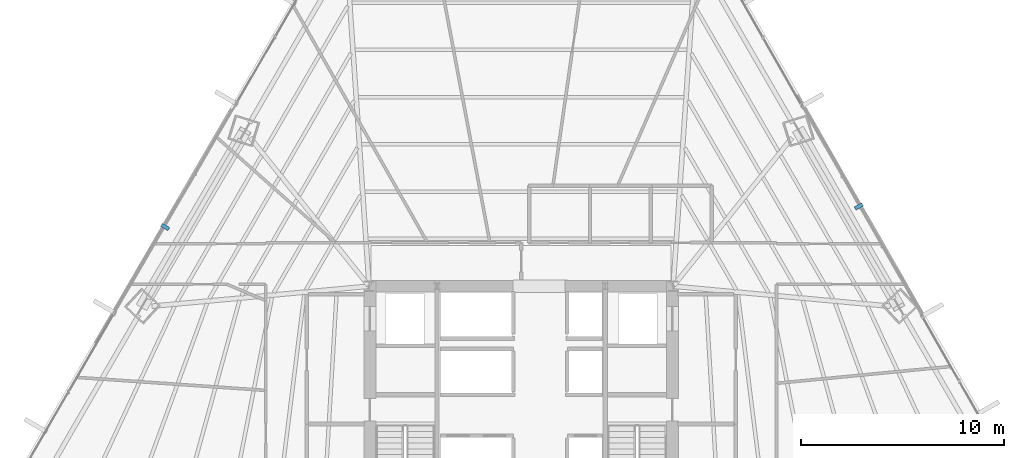
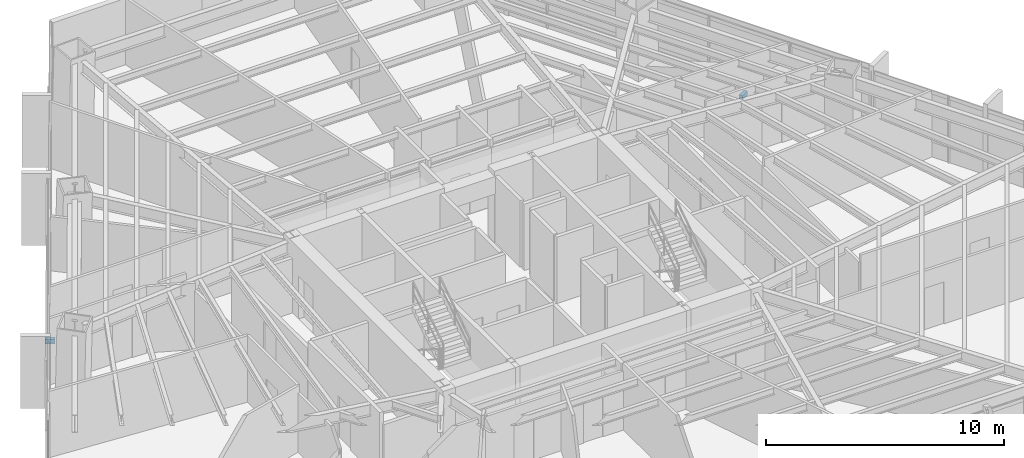
# One storey, part 32 of 35: 2 discrete accessories.
"""IFC4 building model written with IfcOpenShell, lengths in metres."""

import ifcopenshell
import ifcopenshell.guid

model = None  # the IFC model being written
_history = None  # IfcOwnerHistory: only IFC2X3 demands one
_inside = {}  # id of a spatial element -> (the spatial element, [elements in it])
_under = {}  # id of a project, library or spatial element -> (it, [spatial elements below it])
_declared = {}  # id of a project -> (the project, [libraries it declares])
_typed = {}  # id of a type object -> (the type object, [elements of that type])
_made_of = {}  # id of a material, layer set ... -> (it, [elements and type objects made of it])


def new_model(schema):
    """Start an empty IFC model of exactly this schema.

    Asked for "IFC4X3", IfcOpenShell would pick the latest addendum, in which some entities
    have other attributes; the version numbers below select the first issue.
    IFC2X3 requires an IfcOwnerHistory on every rooted entity: one is made here for all.
    """
    global model, _history
    if schema == "IFC4X3":
        model = ifcopenshell.file(schema_version=(4, 3, 0, 0))
    else:
        model = ifcopenshell.file(schema=schema)
    _inside.clear()
    _under.clear()
    _declared.clear()
    _typed.clear()
    _made_of.clear()
    _history = None
    if model.schema == "IFC2X3":
        org = make("IfcOrganization", Name="unknown")
        user = make(
            "IfcPersonAndOrganization",
            ThePerson=make("IfcPerson", FamilyName="unknown"),
            TheOrganization=org,
        )
        app = make(
            "IfcApplication",
            ApplicationDeveloper=org,
            Version="unknown",
            ApplicationFullName="unknown",
            ApplicationIdentifier="unknown",
        )
        _history = make(
            "IfcOwnerHistory",
            OwningUser=user,
            OwningApplication=app,
            ChangeAction="ADDED",
            CreationDate=0,
        )
    return model


def make(cls, **values):
    """One entity of the class cls with the attributes given. An attribute that is None is left unset."""
    return model.create_entity(
        cls, **{name: value for name, value in values.items() if value is not None}
    )


def rooted(cls, **values):
    """An entity with a GlobalId (a new one), such as an element, a storey or a relation."""
    return make(cls, GlobalId=ifcopenshell.guid.new(), OwnerHistory=_history, **values)


def si_unit(unit_type, name, prefix=None):
    """IfcSIUnit, for example si_unit("LENGTHUNIT", "METRE", prefix="MILLI")."""
    return make("IfcSIUnit", UnitType=unit_type, Prefix=prefix, Name=name)


def assignment(units):
    """IfcUnitAssignment: the units of a project."""
    return None if units is None else make("IfcUnitAssignment", Units=units)


def point(xyz):
    """IfcCartesianPoint."""
    return None if xyz is None else make("IfcCartesianPoint", Coordinates=xyz)


def direction(xyz):
    """IfcDirection."""
    return None if xyz is None else make("IfcDirection", DirectionRatios=xyz)


def frame(location, z_axis=None, x_axis=None):
    """IfcAxis2Placement3D, a coordinate frame: its origin and axes. An axis left out is left unset."""
    return make(
        "IfcAxis2Placement3D",
        Location=point(location),
        Axis=direction(z_axis),
        RefDirection=direction(x_axis),
    )


def frame_2d(location, x_axis=None):
    """IfcAxis2Placement2D, a coordinate frame in the plane: its origin and x axis."""
    return make(
        "IfcAxis2Placement2D", Location=point(location), RefDirection=direction(x_axis)
    )


def origin():
    """The frame at (0, 0, 0) with its axes left unset."""
    return frame((0.0, 0.0, 0.0))


def origin_2d():
    """The frame at (0, 0) in the plane with its x axis left unset."""
    return frame_2d((0.0, 0.0))


def place(relative_to, where):
    """IfcLocalPlacement: puts the frame where relative to a parent placement (None: the world)."""
    return make(
        "IfcLocalPlacement", PlacementRelTo=relative_to, RelativePlacement=where
    )


def context(
    kind, dimensions, precision=None, world=None, true_north=None, identifier=None
):
    """IfcGeometricRepresentationContext, for example the 3D "Model" context."""
    return make(
        "IfcGeometricRepresentationContext",
        ContextIdentifier=identifier,
        ContextType=kind,
        CoordinateSpaceDimension=dimensions,
        Precision=precision,
        WorldCoordinateSystem=world,
        TrueNorth=true_north,
    )


def subcontext(parent, identifier, kind, view, scale=None):
    """IfcGeometricRepresentationSubContext, for example "Body" below "Model"."""
    return make(
        "IfcGeometricRepresentationSubContext",
        ContextIdentifier=identifier,
        ContextType=kind,
        ParentContext=parent,
        TargetScale=scale,
        TargetView=view,
    )


def project(units=None, contexts=None):
    """IfcProject with its units and contexts."""
    return rooted(
        "IfcProject",
        Name="project",
        RepresentationContexts=contexts,
        UnitsInContext=assignment(units),
    )


def spatial(cls, under=None, at=None, **own):
    """A site, building, storey or space (cls), placed at a placement, below another one or the project."""
    s = rooted(cls, ObjectPlacement=at, **own)
    if under is not None:
        _under.setdefault(under.id(), (under, []))[1].append(s)
    return s


def profile(cls, at=None, kind="AREA", **sizes):
    """A parametric profile (cls). Its sizes go by their IFC names, for example OverallWidth=200.0."""
    return make(cls, ProfileType=kind, Position=at, **sizes)


def rectangle(**sizes):
    """IfcRectangleProfileDef."""
    return profile("IfcRectangleProfileDef", **sizes)


def extrude(swept, where, along, depth):
    """IfcExtrudedAreaSolid: the profile swept, set in the frame where, extruded along a direction by depth."""
    return make(
        "IfcExtrudedAreaSolid",
        SweptArea=swept,
        Position=where,
        ExtrudedDirection=direction(along),
        Depth=depth,
    )


def shape(context_of_items, identifier, shape_type, items):
    """IfcShapeRepresentation: the items that make up one representation, for example the "Body"."""
    return make(
        "IfcShapeRepresentation",
        ContextOfItems=context_of_items,
        RepresentationIdentifier=identifier,
        RepresentationType=shape_type,
        Items=items,
    )


def source(mapping_origin, context_of_items, identifier, shape_type, items):
    """IfcRepresentationMap: a shape defined once, which mapped items show again and again."""
    return make(
        "IfcRepresentationMap",
        MappingOrigin=mapping_origin,
        MappedRepresentation=shape(context_of_items, identifier, shape_type, items),
    )


def transform(
    local_origin,
    x_axis=None,
    y_axis=None,
    z_axis=None,
    scale=None,
    scale2=None,
    scale3=None,
    uniform=True,
):
    """IfcCartesianTransformationOperator3D, or its non-uniform kind. x_axis, y_axis, z_axis: its Axis1, 2, 3."""
    if uniform:
        return make(
            "IfcCartesianTransformationOperator3D",
            Axis1=direction(x_axis),
            Axis2=direction(y_axis),
            LocalOrigin=point(local_origin),
            Scale=scale,
            Axis3=direction(z_axis),
        )
    return make(
        "IfcCartesianTransformationOperator3DnonUniform",
        Axis1=direction(x_axis),
        Axis2=direction(y_axis),
        LocalOrigin=point(local_origin),
        Scale=scale,
        Axis3=direction(z_axis),
        Scale2=scale2,
        Scale3=scale3,
    )


def mapped(mapping_source, mapping_target):
    """IfcMappedItem: shows the shape of a source again, moved by a transform."""
    return make(
        "IfcMappedItem", MappingSource=mapping_source, MappingTarget=mapping_target
    )


def material(Name=None, Category=None):
    """IfcMaterial."""
    return make("IfcMaterial", Name=Name, Category=Category)


def made_of(thing, what):
    """Note that an element or type object is made of a material, layer set ...; save() writes the relation."""
    if what is not None:
        _made_of.setdefault(what.id(), (what, []))[1].append(thing)
    return thing


def type_object(cls, material=None, **own):
    """A type object (cls), such as IfcWallType, which elements share."""
    return made_of(rooted(cls, **own), material)


def type_shapes(of_type, sources):
    """Give a type object the sources (RepresentationMaps) that its elements show as mapped items."""
    of_type.RepresentationMaps = sources


def element(
    cls,
    number,
    at=None,
    inside=None,
    cuts=None,
    type_object=None,
    material=None,
    context=None,
    identifier="Body",
    shape_type=None,
    held_by="IfcProductDefinitionShape",
    body=None,
    shapes=None,
    **own,
):
    """One element of the class cls, such as IfcWall. Its Tag is "e" and its number.

    at: its placement. inside: the storey or other place that contains it. cuts: it is an
    opening in that element (IfcRelVoidsElement). A single representation is given by context,
    identifier, shape_type and body (its items); several are given by shapes. held_by: the class
    of the entity that holds the representations. save() writes the other relations.
    """
    e = rooted(cls, Tag="e%d" % number, ObjectPlacement=at, **own)
    if body is not None:
        shapes = [shape(context, identifier, shape_type, body)]
    if shapes is not None:
        e.Representation = make(held_by, Representations=shapes)
    if inside is not None:
        _inside.setdefault(inside.id(), (inside, []))[1].append(e)
    if cuts is not None:
        rooted(
            "IfcRelVoidsElement", RelatingBuildingElement=cuts, RelatedOpeningElement=e
        )
    if type_object is not None:
        _typed.setdefault(type_object.id(), (type_object, []))[1].append(e)
    return made_of(e, material)


def aggregate(whole, parts):
    """IfcRelAggregates: a whole, such as a stair, and the parts it consists of."""
    return rooted("IfcRelAggregates", RelatingObject=whole, RelatedObjects=parts)


def save(model, path):
    """Write the relations noted so far, then the file.

    IfcRelAggregates (storeys below a building ...), IfcRelContainedInSpatialStructure (elements
    in a storey), IfcRelDefinesByType, IfcRelAssociatesMaterial and IfcRelDeclares: one each for
    every whole, place, type object, material and project.
    """
    for whole, parts in _under.values():
        aggregate(whole, parts)
    for where, things in _inside.values():
        rooted(
            "IfcRelContainedInSpatialStructure",
            RelatedElements=things,
            RelatingStructure=where,
        )
    for kind, things in _typed.values():
        rooted("IfcRelDefinesByType", RelatedObjects=things, RelatingType=kind)
    for what, things in _made_of.values():
        rooted("IfcRelAssociatesMaterial", RelatedObjects=things, RelatingMaterial=what)
    for by, libraries in _declared.values():
        rooted("IfcRelDeclares", RelatingContext=by, RelatedDefinitions=libraries)
    model.write(path)


model = new_model("IFC4")

# Units and contexts
model_context = context("Model", 3, precision=1e-05, world=origin(), true_north=direction((0.0, 1.0)))
body_context = subcontext(model_context, "Body", "Model", "MODEL_VIEW")
ifc_project = project(units=[si_unit("LENGTHUNIT", "METRE"), si_unit("AREAUNIT", "SQUARE_METRE"), si_unit("VOLUMEUNIT", "CUBIC_METRE"), si_unit("PLANEANGLEUNIT", "RADIAN"), si_unit("MASSUNIT", "GRAM", prefix="KILO")], contexts=[model_context])

# Site, building, storey
site_placement = place(None, origin())
site = spatial("IfcSite", under=ifc_project, at=site_placement, CompositionType="ELEMENT")
building_placement = place(site_placement, origin())
building = spatial("IfcBuilding", under=site, at=building_placement, Name="Caelisora Broadcast Tower", CompositionType="ELEMENT")
storey_placement = place(building_placement, frame((0.0, 0.0, 53.14990234375)))
storey = spatial("IfcBuildingStorey", under=building, at=storey_placement, Name="L13", CompositionType="ELEMENT", Elevation=53.14990234375)

# Discrete accessories
ifc_material = material(Name="Steel Grade 350 (AS/NZS 3679.1)", Category="steel")
discrete_accessory_type = type_object("IfcDiscreteAccessoryType", Name="BRK-1", PredefinedType="BRACKET", material=ifc_material)
shared_shape = source(origin(), body_context, "Body", "SweptSolid", [
    extrude(rectangle(XDim=0.179931640625, YDim=0.419921875, at=origin_2d()), origin(), (0.0, 0.0, 1.0), 0.219970703125),
])
type_shapes(discrete_accessory_type, [shared_shape])
for number, where, z_axis, x_axis, name in (
    (1, (20.441162109375, 32.9169921875, -0.15966796875), (0.0, 0.0, 1.0), (-0.50286909456, -0.864362582332, 0.0), "L13 solar screen outrigger bracket #1"),
    (2, (54.65869140625, 33.93017578125, -0.15966796875), (0.0, 0.0, 1.0), (-0.496064966839, 0.868285407383, 0.0), "L13 solar screen outrigger bracket #3"),
):
    element("IfcDiscreteAccessory", number, at=place(storey_placement, frame(where, z_axis=z_axis, x_axis=x_axis)), inside=storey, type_object=discrete_accessory_type, Name=name, PredefinedType="BRACKET", context=body_context, shape_type="MappedRepresentation", body=[
        mapped(shared_shape, transform((0.0, 0.0, 0.0), scale=1.0)),
    ])

save(model, "model.ifc")
